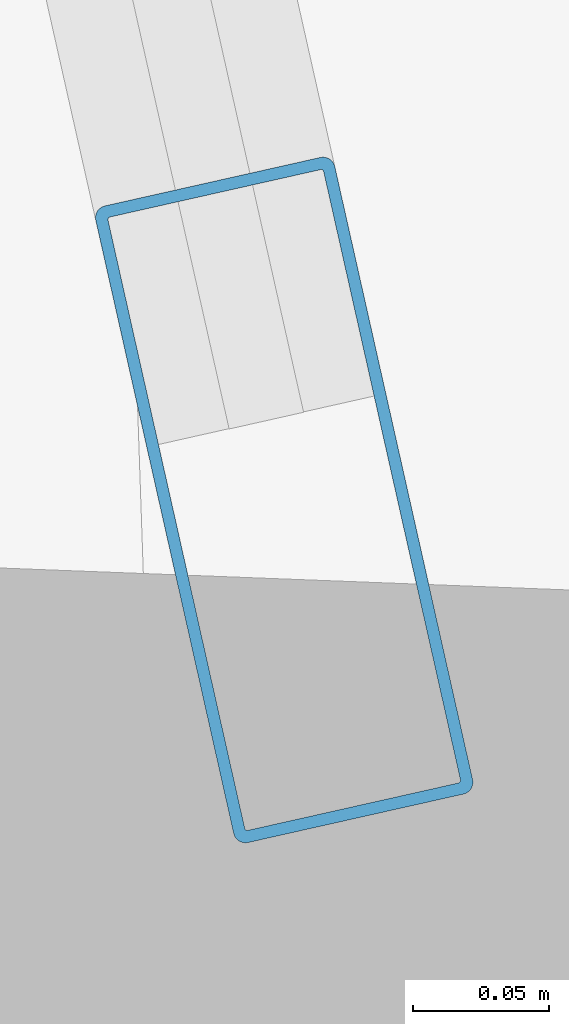
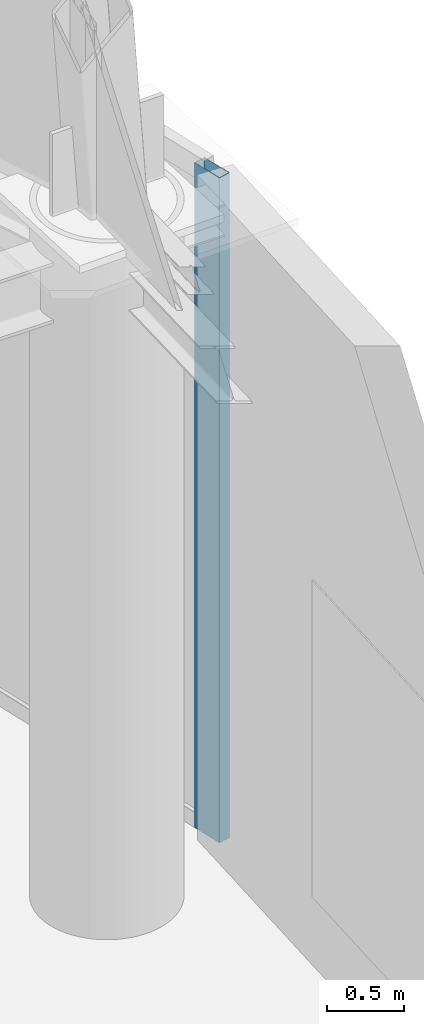
# One storey, part 21 of 40: 1 member, 1 element without a shape of its own.
"""IFC4 building model written with IfcOpenShell, lengths in metres."""

from ifc_helpers import new_model, si_unit, direction, frame, origin, origin_2d, place, context, subcontext, project, spatial, hollow_rectangle, extrude, material, layer, layer_set, material_profile, profile_set, type_object, element, aggregate, save


model = new_model("IFC4")

# Units and contexts
model_context = context("Model", 3, precision=1e-05, world=origin(), true_north=direction((0.0, 1.0)))
body_context = subcontext(model_context, "Body", "Model", "MODEL_VIEW")
ifc_project = project(units=[si_unit("LENGTHUNIT", "METRE"), si_unit("AREAUNIT", "SQUARE_METRE"), si_unit("VOLUMEUNIT", "CUBIC_METRE"), si_unit("PLANEANGLEUNIT", "RADIAN"), si_unit("MASSUNIT", "GRAM", prefix="KILO")], contexts=[model_context])

# Site, building, storey
site_placement = place(None, origin())
site = spatial("IfcSite", under=ifc_project, at=site_placement, CompositionType="ELEMENT")
building_placement = place(site_placement, origin())
building = spatial("IfcBuilding", under=site, at=building_placement, Name="Bramvorn Convention Spire", CompositionType="ELEMENT")
storey_placement = place(building_placement, frame((0.0, 0.0, 312.5)))
storey = spatial("IfcBuildingStorey", under=building, at=storey_placement, Name="L79", CompositionType="ELEMENT", Elevation=312.5)

# Curtain wall, member
ifc_material_1 = material(Name="Anodised Bronze Unitised Curtain Wall", Category="aluminium")
ifc_layer = layer(ifc_material_1, 0.199951171875)
ifc_layer_set = layer_set([ifc_layer], Name="Anodised Bronze Unitised Curtain Wall - CW-CROWN-SPIRE")
curtain_wall_type = type_object("IfcCurtainWallType", Name="CW-CROWN-SPIRE", PredefinedType="USERDEFINED", material=ifc_layer_set)
curtain_wall_placement = place(storey_placement, origin())
curtain_wall = element("IfcCurtainWall", 1, at=curtain_wall_placement, inside=storey, type_object=curtain_wall_type, Name="L79 fritted glass curtain wall 06", ObjectType="UNITISED CURTAIN WALL", PredefinedType="USERDEFINED")
ifc_material_2 = material(Name="Anodised Bronze Aluminium 6063-T6", Category="aluminium")
ifc_material_profile = material_profile(ifc_material_2, hollow_rectangle(XDim=0.090087890625, YDim=0.239990234375, WallThickness=0.00439453125, InnerFilletRadius=0.0009765625, OuterFilletRadius=0.00439453125, at=origin_2d()))
ifc_profile_set = profile_set([ifc_material_profile], Name="Anodised Bronze Aluminium 6063-T6 - CWM90X240")
member_type = type_object("IfcMemberType", Name="CW-MUL-220", PredefinedType="MULLION", material=ifc_profile_set)
member_placement = place(storey_placement, frame((57.178466796875, 26.903564453125, 0.0), z_axis=(0.0, 0.0, 1.0), x_axis=(0.975644956553, 0.219355690041, 0.0)))
member = element("IfcMember", 2, at=member_placement, type_object=member_type, Name="CW6 mullion 2", PredefinedType="MULLION", context=body_context, shape_type="SweptSolid", body=[
    extrude(hollow_rectangle(XDim=0.090087890625, YDim=0.239990234375, WallThickness=0.00439453125, InnerFilletRadius=0.0009765625, OuterFilletRadius=0.00439453125, at=origin_2d()), origin(), (0.0, 0.0, 1.0), 5.25),
])
aggregate(curtain_wall, [member])

save(model, "model.ifc")
